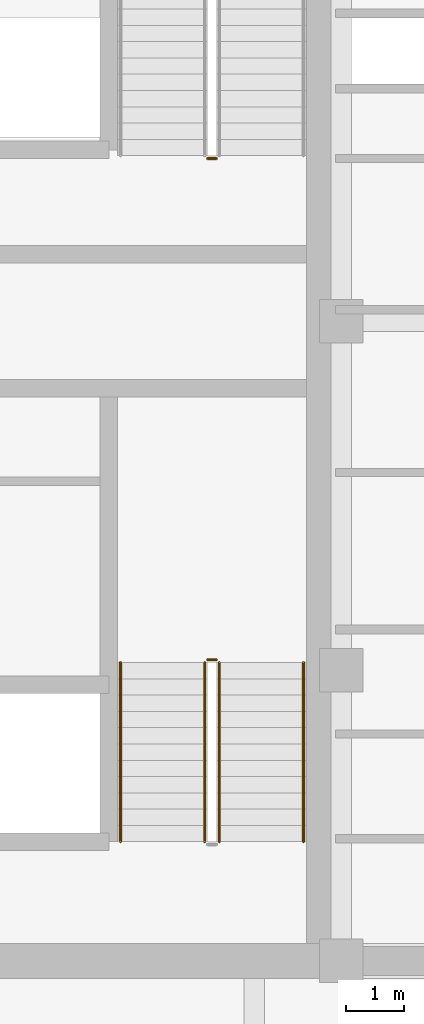
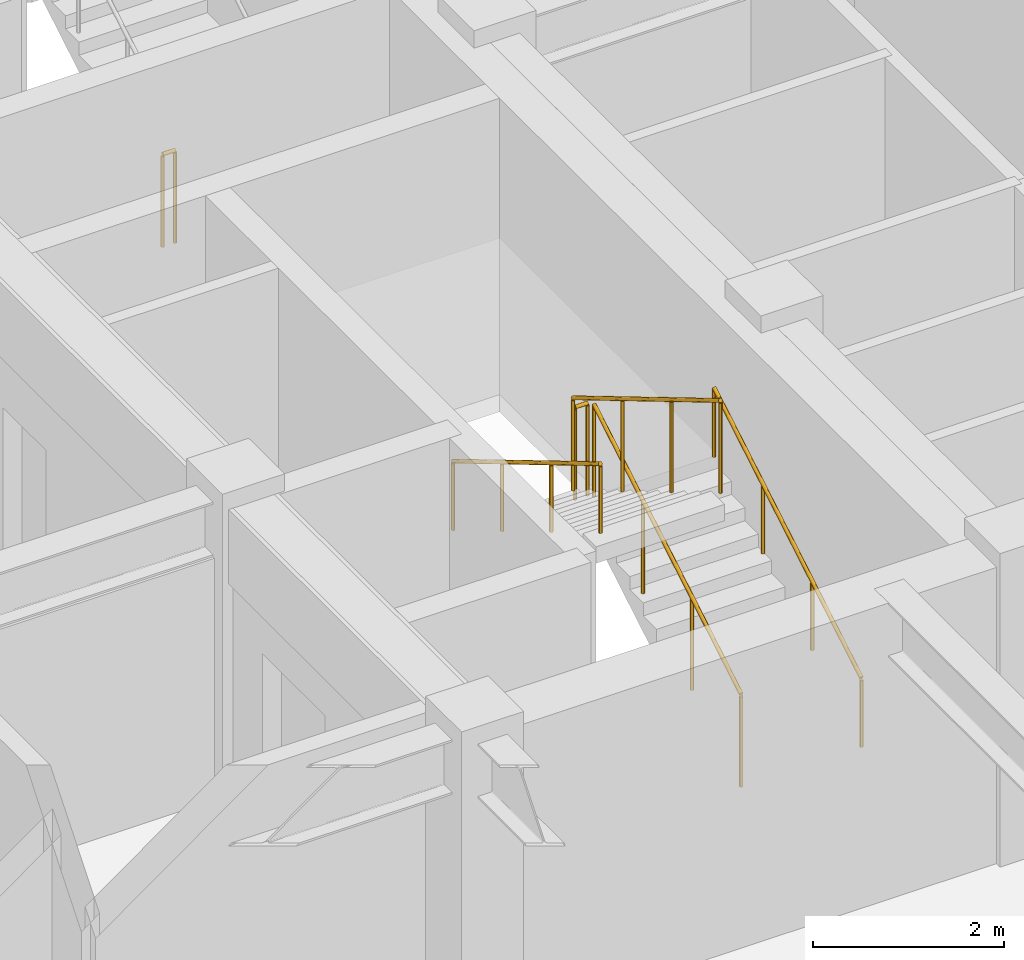
# One storey, part 26 of 29: 6 railings.
"""IFC4 building model written with IfcOpenShell, lengths in metres."""

from ifc_helpers import new_model, si_unit, direction, frame, origin, origin_2d, place, context, subcontext, project, spatial, circle, extrude, source, transform, mapped, material, type_object, element, save


model = new_model("IFC4")

# Units and contexts
model_context = context("Model", 3, precision=1e-05, world=origin(), true_north=direction((0.0, 1.0)))
body_context = subcontext(model_context, "Body", "Model", "MODEL_VIEW")
ifc_project = project(units=[si_unit("LENGTHUNIT", "METRE"), si_unit("AREAUNIT", "SQUARE_METRE"), si_unit("VOLUMEUNIT", "CUBIC_METRE"), si_unit("PLANEANGLEUNIT", "RADIAN"), si_unit("MASSUNIT", "GRAM", prefix="KILO")], contexts=[model_context])

# Site, building, storey
site_placement = place(None, origin())
site = spatial("IfcSite", under=ifc_project, at=site_placement, CompositionType="ELEMENT")
building_placement = place(site_placement, origin())
building = spatial("IfcBuilding", under=site, at=building_placement, Name="Khorayat Bourse Tower", CompositionType="ELEMENT")
storey_placement = place(building_placement, frame((0.0, 0.0, 277.5)))
storey = spatial("IfcBuildingStorey", under=building, at=storey_placement, Name="L65", CompositionType="ELEMENT", Elevation=277.5)

# Railings
ifc_material_1 = material(Name="Powder-coated steel balustrade", Category="steel")
railing_type_1 = type_object("IfcRailingType", Name="RLG-GUARD-1200", PredefinedType="GUARDRAIL", material=ifc_material_1)
shared_shape_1 = source(origin(), body_context, "Body", "SweptSolid", [
    extrude(circle(Radius=0.02392578125, at=origin_2d()), frame((0.0, 0.0, 1.17578125), z_axis=(-1.0, 0.0, 0.0), x_axis=(0.0, -1.0, 0.0)), (0.0, 0.0, 1.0), 0.150146484375),
    extrude(circle(Radius=0.02099609375, at=origin_2d()), origin(), (0.0, 0.0, 1.0), 1.15185546875),
    extrude(circle(Radius=0.02099609375, at=origin_2d()), frame((-0.150146484375, 0.0, 0.0)), (0.0, 0.0, 1.0), 1.15185546875),
])
for number, where, name in (
    (1, (-6.64990234375, -5.820068359375, 2.0), "L65 ST-1 stair guard 2"),
    (2, (-6.64990234375, 2.800048828125, 0.0), "L65 ST-2 stair guard 4"),
):
    element("IfcRailing", number, at=place(storey_placement, frame(where)), inside=storey, type_object=railing_type_1, Name=name, PredefinedType="GUARDRAIL", context=body_context, shape_type="MappedRepresentation", body=[
        mapped(shared_shape_1, transform((0.0, 0.0, 0.0), scale=1.0)),
    ])
shared_shape_2 = source(origin(), body_context, "Body", "SweptSolid", [
    extrude(circle(Radius=0.02392578125, at=origin_2d()), frame((0.0, 0.0, 1.17578125), z_axis=(0.0, 0.859290745958, 0.51148745235), x_axis=(-1.0, 0.0, 0.0)), (0.0, 0.0, 1.0), 3.584228515625),
    extrude(circle(Radius=0.02099609375, at=origin_2d()), origin(), (0.0, 0.0, 1.0), 1.15185546875),
    extrude(circle(Radius=0.02099609375, at=origin_2d()), frame((0.0, 1.026611328125, 0.611083984375)), (0.0, 0.0, 1.0), 1.15185546875),
    extrude(circle(Radius=0.02099609375, at=origin_2d()), frame((0.0, 2.05322265625, 1.22216796875)), (0.0, 0.0, 1.0), 1.15185546875),
    extrude(circle(Radius=0.02099609375, at=origin_2d()), frame((0.0, 3.079833984375, 1.833251953125)), (0.0, 0.0, 1.0), 1.15185546875),
])
railing_1_placement = place(storey_placement, frame((-6.60009765625, -8.949951171875, 0.166748046875)))
element("IfcRailing", 3, at=railing_1_placement, inside=storey, type_object=railing_type_1, Name="L65 ST-1 stair guard 1", PredefinedType="GUARDRAIL", context=body_context, shape_type="MappedRepresentation", body=[
    mapped(shared_shape_2, transform((0.0, 0.0, 0.0), scale=1.0)),
])
shared_shape_3 = source(origin(), body_context, "Body", "SweptSolid", [
    extrude(circle(Radius=0.02392578125, at=origin_2d()), frame((0.0, 0.0, 1.17578125), z_axis=(0.0, -0.859290745958, 0.51148745235), x_axis=(1.0, 0.0, 0.0)), (0.0, 0.0, 1.0), 3.584228515625),
    extrude(circle(Radius=0.02099609375, at=origin_2d()), origin(), (0.0, 0.0, 1.0), 1.15185546875),
    extrude(circle(Radius=0.02099609375, at=origin_2d()), frame((0.0, -1.026611328125, 0.611083984375)), (0.0, 0.0, 1.0), 1.15185546875),
    extrude(circle(Radius=0.02099609375, at=origin_2d()), frame((0.0, -2.05322265625, 1.22216796875)), (0.0, 0.0, 1.0), 1.15185546875),
    extrude(circle(Radius=0.02099609375, at=origin_2d()), frame((0.0, -3.079833984375, 1.833251953125)), (0.0, 0.0, 1.0), 1.15185546875),
])
railing_2_placement = place(storey_placement, frame((-6.85009765625, -5.8701171875, 2.166748046875)))
element("IfcRailing", 4, at=railing_2_placement, inside=storey, type_object=railing_type_1, Name="L65 ST-1 stair guard 3", PredefinedType="GUARDRAIL", context=body_context, shape_type="MappedRepresentation", body=[
    mapped(shared_shape_3, transform((0.0, 0.0, 0.0), scale=1.0)),
])
ifc_material_2 = material(Name="Brushed bronze stainless-steel handrail", Category="steel")
railing_type_2 = type_object("IfcRailingType", Name="RLG-HAND-900", PredefinedType="HANDRAIL", material=ifc_material_2)
shared_shape_4 = source(origin(), body_context, "Body", "SweptSolid", [
    extrude(circle(Radius=0.02392578125, at=origin_2d()), frame((0.0, 0.0, 0.8759765625), z_axis=(0.0, 0.859290745958, 0.51148745235), x_axis=(-1.0, 0.0, 0.0)), (0.0, 0.0, 1.0), 3.584228515625),
    extrude(circle(Radius=0.02099609375, at=origin_2d()), origin(), (0.0, 0.0, 1.0), 0.851806640625),
    extrude(circle(Radius=0.02099609375, at=origin_2d()), frame((0.0, 1.026611328125, 0.611083984375)), (0.0, 0.0, 1.0), 0.851806640625),
    extrude(circle(Radius=0.02099609375, at=origin_2d()), frame((0.0, 2.05322265625, 1.22216796875)), (0.0, 0.0, 1.0), 0.851806640625),
    extrude(circle(Radius=0.02099609375, at=origin_2d()), frame((0.0, 3.079833984375, 1.833251953125)), (0.0, 0.0, 1.0), 0.851806640625),
])
railing_3_placement = place(storey_placement, frame((-5.14990234375, -8.949951171875, 0.166748046875)))
element("IfcRailing", 5, at=railing_3_placement, inside=storey, type_object=railing_type_2, Name="L65 ST-1 stair handrail 1", PredefinedType="HANDRAIL", context=body_context, shape_type="MappedRepresentation", body=[
    mapped(shared_shape_4, transform((0.0, 0.0, 0.0), scale=1.0)),
])
shared_shape_5 = source(origin(), body_context, "Body", "SweptSolid", [
    extrude(circle(Radius=0.02392578125, at=origin_2d()), frame((0.0, 0.0, 0.8759765625), z_axis=(0.0, -0.859290745958, 0.51148745235), x_axis=(1.0, 0.0, 0.0)), (0.0, 0.0, 1.0), 3.584228515625),
    extrude(circle(Radius=0.02099609375, at=origin_2d()), origin(), (0.0, 0.0, 1.0), 0.851806640625),
    extrude(circle(Radius=0.02099609375, at=origin_2d()), frame((0.0, -1.026611328125, 0.611083984375)), (0.0, 0.0, 1.0), 0.851806640625),
    extrude(circle(Radius=0.02099609375, at=origin_2d()), frame((0.0, -2.05322265625, 1.22216796875)), (0.0, 0.0, 1.0), 0.851806640625),
    extrude(circle(Radius=0.02099609375, at=origin_2d()), frame((0.0, -3.079833984375, 1.833251953125)), (0.0, 0.0, 1.0), 0.851806640625),
])
railing_4_placement = place(storey_placement, frame((-8.300048828125, -5.8701171875, 2.166748046875)))
element("IfcRailing", 6, at=railing_4_placement, inside=storey, type_object=railing_type_2, Name="L65 ST-1 stair handrail 2", PredefinedType="HANDRAIL", context=body_context, shape_type="MappedRepresentation", body=[
    mapped(shared_shape_5, transform((0.0, 0.0, 0.0), scale=1.0)),
])

save(model, "model.ifc")
